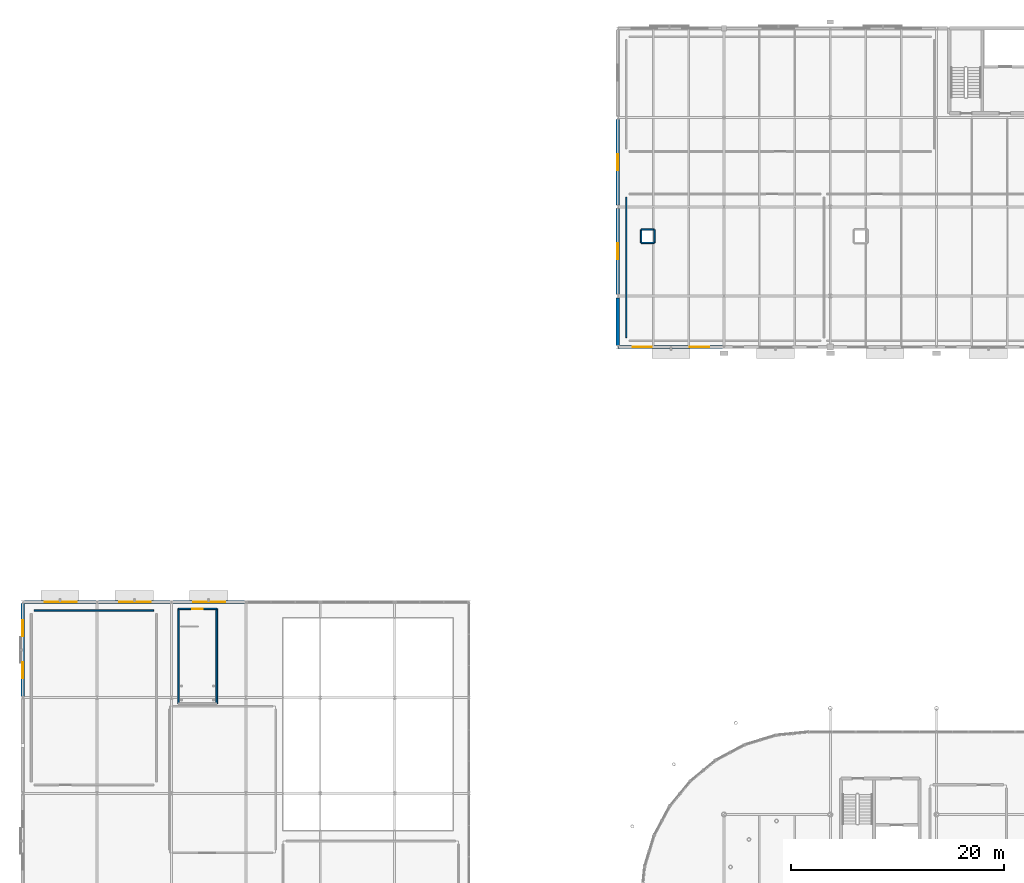
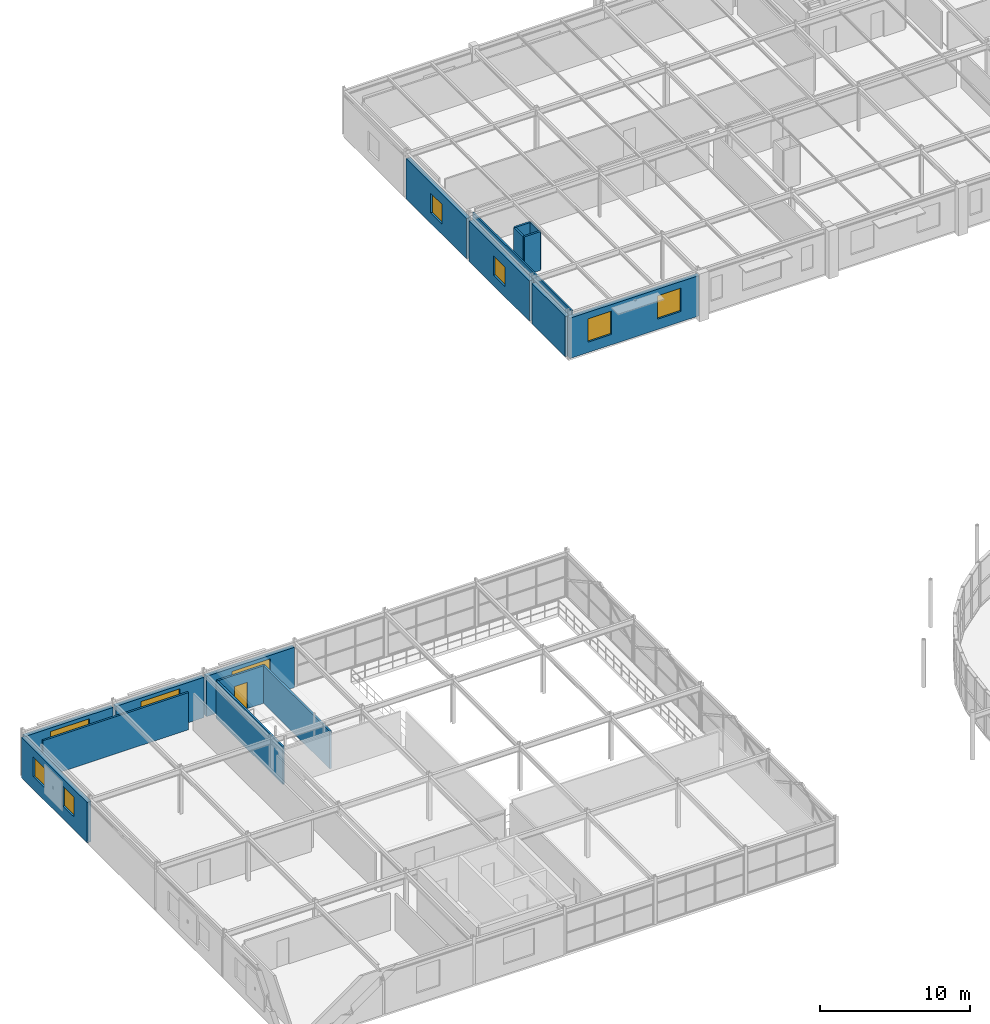
# One storey, part 78 of 98: 17 walls, 9 windows, 1 door, 10 openings.
"""IFC4 building model written with IfcOpenShell, lengths in metres."""

from ifc_helpers import new_model, si_unit, derived_unit, direction, frame, frame_2d, origin, place, context, subcontext, project, spatial, rectangle, extrude, material, layer, layer_set, type_object, element, fill, save


model = new_model("IFC4")

# Units and contexts
model_context = context("Model", 3, precision=1e-05, world=origin(), true_north=direction((0.0, 1.0)))
body_context = subcontext(model_context, "Body", "Model", "MODEL_VIEW")
ifc_project = project(units=[si_unit("LENGTHUNIT", "METRE"), si_unit("AREAUNIT", "SQUARE_METRE"), si_unit("VOLUMEUNIT", "CUBIC_METRE"), si_unit("PLANEANGLEUNIT", "RADIAN"), si_unit("MASSUNIT", "GRAM", prefix="KILO"), derived_unit("THERMALTRANSMITTANCEUNIT", [(si_unit("POWERUNIT", "WATT"), 1), (si_unit("LENGTHUNIT", "METRE"), -2), (si_unit("THERMODYNAMICTEMPERATUREUNIT", "KELVIN"), -1)])], contexts=[model_context])

# Site, building, storey
site_placement = place(None, origin())
site = spatial("IfcSite", under=ifc_project, at=site_placement, CompositionType="ELEMENT")
building_placement = place(site_placement, origin())
building = spatial("IfcBuilding", under=site, at=building_placement, Name="Cinnabar Yard Market Hall", CompositionType="ELEMENT")
storey_placement = place(building_placement, frame((0.0, 0.0, 4.5)))
storey = spatial("IfcBuildingStorey", under=building, at=storey_placement, Name="L01", CompositionType="ELEMENT", Elevation=4.5)

# Walls
ifc_material_1 = material(Name="Acoustic steel-stud plasterboard", Category="steel")
ifc_layer_1 = layer(ifc_material_1, 0.1201171875)
ifc_layer_set_1 = layer_set([ifc_layer_1], Name="Acoustic steel-stud plasterboard")
wall_type_1 = type_object("IfcWallType", Name="WL-PT120", PredefinedType="PARTITIONING", material=ifc_layer_set_1)
wall_1_placement = place(storey_placement, frame((66.800048828125, 122.1201171875, 0.0), z_axis=(0.0, 0.0, 1.0), x_axis=(0.0, -1.0, 0.0)))
element("IfcWall", 1, at=wall_1_placement, inside=storey, type_object=wall_type_1, Name="Partition Chocolate and Confectionery Studio 101 west", PredefinedType="PARTITIONING", context=body_context, shape_type="SweptSolid", body=[
    extrude(rectangle(XDim=13.240234375, YDim=0.1201171875, at=frame_2d((6.6201171875, 0.0), x_axis=(1.0, 0.0))), origin(), (0.0, 0.0, 1.0), 3.030029296875),
])
ifc_material_2 = material(Name="Fire-rated steel-stud plasterboard", Category="steel")
ifc_layer_2 = layer(ifc_material_2, 0.14990234375)
ifc_layer_set_2 = layer_set([ifc_layer_2], Name="Fire-rated steel-stud plasterboard")
wall_type_2 = type_object("IfcWallType", Name="WL-PT150", PredefinedType="PARTITIONING", material=ifc_layer_set_2)
for number, where, z_axis, x_axis, name in (
    (2, (24.639892578125, 83.360107421875, 0.0), (0.0, 0.0, 1.0), (0.0, -1.0, 0.0), "Stair ST-F3 Shaft Wall W L01"),
    (3, (28.260009765625, 74.43994140625, 0.0), (0.0, 0.0, 1.0), (0.0, 1.0, 0.0), "Stair ST-F3 Shaft Wall E L01"),
):
    element("IfcWall", number, at=place(storey_placement, frame(where, z_axis=z_axis, x_axis=x_axis)), inside=storey, type_object=wall_type_2, Name=name, PredefinedType="PARTITIONING", context=body_context, shape_type="SweptSolid", body=[
        extrude(rectangle(XDim=8.920166015625, YDim=0.14990234375, at=frame_2d((4.4599609375, 0.0), x_axis=(1.0, 0.0))), origin(), (0.0, 0.0, 1.0), 3.070068359375),
    ])

# Wall, opening, door
wall_2_placement = place(storey_placement, frame((28.260009765625, 83.360107421875, 0.0), z_axis=(0.0, 0.0, 1.0), x_axis=(-1.0, 0.0, 0.0)))
wall_2 = element("IfcWall", 4, at=wall_2_placement, inside=storey, type_object=wall_type_2, Name="Stair ST-F3 Shaft Wall N L01", PredefinedType="PARTITIONING", context=body_context, shape_type="SweptSolid", body=[
    extrude(rectangle(XDim=3.6201171875, YDim=0.14990234375, at=frame_2d((1.81005859375, 0.0), x_axis=(1.0, 0.0))), origin(), (0.0, 0.0, 1.0), 3.070068359375),
])
opening_1_placement = place(wall_2_placement, frame((1.31005859375, 0.0, 0.0)))
opening_1 = element("IfcOpeningElement", 5, at=opening_1_placement, cuts=wall_2, Name="Opening CD-072", PredefinedType="OPENING", context=body_context, shape_type="SweptSolid", body=[
    extrude(rectangle(XDim=1.0, YDim=2.14990234375, at=frame_2d((0.5, 1.074951171875), x_axis=(1.0, 0.0))), frame((0.0, 0.0849609375, 0.0), z_axis=(0.0, -1.0, 0.0), x_axis=(1.0, 0.0, 0.0)), (0.0, 0.0, 1.0), 0.169921875),
])
ifc_material_3 = material(Name="Solid-core spotted gum timber", Category="wood")
door_type = type_object("IfcDoorType", Name="DR-D05", OperationType="NOTDEFINED", PredefinedType="DOOR", material=ifc_material_3)
door_placement = place(opening_1_placement, origin())
door = element("IfcDoor", 6, at=door_placement, inside=storey, type_object=door_type, Name="Stair Door CD-072", OperationType="SINGLE_SWING_LEFT", OverallHeight=2.14990234375, OverallWidth=1.0, PredefinedType="DOOR", context=body_context, shape_type="SweptSolid", body=[
    extrude(rectangle(XDim=1.0, YDim=2.14990234375, at=frame_2d((0.5, 1.074951171875), x_axis=(1.0, 0.0))), frame((0.0, 0.02490234375, 0.0), z_axis=(0.0, -1.0, 0.0), x_axis=(1.0, 0.0, 0.0)), (0.0, 0.0, 1.0), 0.050048828125),
])
fill(opening_1, door)

# Walls
for number, where, z_axis, x_axis, name in (
    (7, (68.199951171875, 117.800048828125, 0.0), (0.0, 0.0, 1.0), (1.0, 0.0, 0.0), "Service Shaft Wall L01-1-1"),
    (8, (69.449951171875, 117.800048828125, 0.0), (0.0, 0.0, 1.0), (0.0, 1.0, 0.0), "Service Shaft Wall L01-1-2"),
    (9, (69.449951171875, 119.050048828125, 0.0), (0.0, 0.0, 1.0), (-1.0, 0.0, 0.0), "Service Shaft Wall L01-1-3"),
    (10, (68.199951171875, 119.050048828125, 0.0), (0.0, 0.0, 1.0), (0.0, -1.0, 0.0), "Service Shaft Wall L01-1-4"),
):
    element("IfcWall", number, at=place(storey_placement, frame(where, z_axis=z_axis, x_axis=x_axis)), inside=storey, type_object=wall_type_2, Name=name, PredefinedType="PARTITIONING", context=body_context, shape_type="SweptSolid", body=[
        extrude(rectangle(XDim=1.25, YDim=0.14990234375, at=frame_2d((0.625, 0.0), x_axis=(1.0, 0.0))), origin(), (0.0, 0.0, 1.0), 3.169921875),
    ])
wall_3_placement = place(storey_placement, frame((22.320068359375, 83.199951171875, 0.0), z_axis=(0.0, 0.0, 1.0), x_axis=(-1.0, 0.0, 0.0)))
element("IfcWall", 11, at=wall_3_placement, inside=storey, type_object=wall_type_2, Name="Partition Pavilion Kitchen Filtration Plant Room north", PredefinedType="PARTITIONING", context=body_context, shape_type="SweptSolid", body=[
    extrude(rectangle(XDim=11.239990234375, YDim=0.14990234375, at=frame_2d((5.6201171875, 0.0), x_axis=(1.0, 0.0))), origin(), (0.0, 0.0, 1.0), 3.030029296875),
])

# Wall, opening, window
ifc_material_4 = material(Name="Cream limestone and Concrete 32 MPa", Category="masonry")
ifc_layer_3 = layer(ifc_material_4, 0.320068359375)
ifc_layer_set_3 = layer_set([ifc_layer_3], Name="Cream limestone and Concrete 32 MPa")
wall_type_3 = type_object("IfcWallType", Name="WL-W-EXT2", PredefinedType="SOLIDWALL", material=ifc_layer_set_3)
wall_4_placement = place(storey_placement, frame((16.89990234375, 84.0, 0.0), z_axis=(0.0, 0.0, 1.0), x_axis=(-1.0, 0.0, 0.0)))
wall_4 = element("IfcWall", 12, at=wall_4_placement, inside=storey, type_object=wall_type_3, Name="Pavilion North Wall L01 Bay 1", PredefinedType="SOLIDWALL", context=body_context, shape_type="SweptSolid", body=[
    extrude(rectangle(XDim=6.7998046875, YDim=0.320068359375, at=frame_2d((3.39990234375, 0.0), x_axis=(1.0, 0.0))), origin(), (0.0, 0.0, 1.0), 3.2900390625),
])
opening_2_placement = place(wall_4_placement, frame((1.840087890625, 0.0, 0.85009765625)))
opening_2 = element("IfcOpeningElement", 13, at=opening_2_placement, cuts=wall_4, Name="Opening W04", PredefinedType="OPENING", context=body_context, shape_type="SweptSolid", body=[
    extrude(rectangle(XDim=3.0, YDim=2.14990234375, at=frame_2d((1.5, 1.074951171875), x_axis=(1.0, 0.0))), frame((0.0, 0.169921875, 0.0), z_axis=(0.0, -1.0, 0.0), x_axis=(1.0, 0.0, 0.0)), (0.0, 0.0, 1.0), 0.340087890625),
])
ifc_material_5 = material(Name="Solar-control double glazing in bronze aluminium", Category="aluminium")
window_type_1 = type_object("IfcWindowType", Name="WN-W04", PartitioningType="SINGLE_PANEL", PredefinedType="WINDOW", material=ifc_material_5)
window_1_placement = place(opening_2_placement, origin())
window_1 = element("IfcWindow", 14, at=window_1_placement, inside=storey, type_object=window_type_1, Name="Window WN-V2N-L01-1", OverallHeight=2.14990234375, OverallWidth=3.0, PartitioningType="SINGLE_PANEL", PredefinedType="WINDOW", context=body_context, shape_type="SweptSolid", body=[
    extrude(rectangle(XDim=3.0, YDim=2.14990234375, at=frame_2d((1.5, 1.074951171875), x_axis=(1.0, 0.0))), frame((0.0, 0.030029296875, 0.0), z_axis=(0.0, -1.0, 0.0), x_axis=(1.0, 0.0, 0.0)), (0.0, 0.0, 1.0), 0.06005859375),
])
fill(opening_2, window_1)

wall_5_placement = place(storey_placement, frame((23.89990234375, 84.0, 0.0), z_axis=(0.0, 0.0, 1.0), x_axis=(-1.0, 0.0, 0.0)))
wall_5 = element("IfcWall", 15, at=wall_5_placement, inside=storey, type_object=wall_type_3, Name="Pavilion North Wall L01 Bay 2", PredefinedType="SOLIDWALL", context=body_context, shape_type="SweptSolid", body=[
    extrude(rectangle(XDim=6.7998046875, YDim=0.320068359375, at=frame_2d((3.39990234375, 0.0), x_axis=(1.0, 0.0))), origin(), (0.0, 0.0, 1.0), 3.2900390625),
])
opening_3_placement = place(wall_5_placement, frame((1.840087890625, 0.0, 0.85009765625)))
opening_3 = element("IfcOpeningElement", 16, at=opening_3_placement, cuts=wall_5, Name="Opening W04", PredefinedType="OPENING", context=body_context, shape_type="SweptSolid", body=[
    extrude(rectangle(XDim=3.0, YDim=2.14990234375, at=frame_2d((1.5, 1.074951171875), x_axis=(1.0, 0.0))), frame((0.0, 0.169921875, 0.0), z_axis=(0.0, -1.0, 0.0), x_axis=(1.0, 0.0, 0.0)), (0.0, 0.0, 1.0), 0.340087890625),
])
window_2_placement = place(opening_3_placement, origin())
window_2 = element("IfcWindow", 17, at=window_2_placement, inside=storey, type_object=window_type_1, Name="Window WN-V2N-L01-2", OverallHeight=2.14990234375, OverallWidth=3.0, PartitioningType="SINGLE_PANEL", PredefinedType="WINDOW", context=body_context, shape_type="SweptSolid", body=[
    extrude(rectangle(XDim=3.0, YDim=2.14990234375, at=frame_2d((1.5, 1.074951171875), x_axis=(1.0, 0.0))), frame((0.0, 0.030029296875, 0.0), z_axis=(0.0, -1.0, 0.0), x_axis=(1.0, 0.0, 0.0)), (0.0, 0.0, 1.0), 0.06005859375),
])
fill(opening_3, window_2)

wall_6_placement = place(storey_placement, frame((30.89990234375, 84.0, 0.0), z_axis=(0.0, 0.0, 1.0), x_axis=(-1.0, 0.0, 0.0)))
wall_6 = element("IfcWall", 18, at=wall_6_placement, inside=storey, type_object=wall_type_3, Name="Pavilion North Wall L01 Bay 3", PredefinedType="SOLIDWALL", context=body_context, shape_type="SweptSolid", body=[
    extrude(rectangle(XDim=6.7998046875, YDim=0.320068359375, at=frame_2d((3.39990234375, 0.0), x_axis=(1.0, 0.0))), origin(), (0.0, 0.0, 1.0), 3.2900390625),
])
opening_4_placement = place(wall_6_placement, frame((1.840087890625, 0.0, 0.85009765625)))
opening_4 = element("IfcOpeningElement", 19, at=opening_4_placement, cuts=wall_6, Name="Opening W04", PredefinedType="OPENING", context=body_context, shape_type="SweptSolid", body=[
    extrude(rectangle(XDim=3.0, YDim=2.14990234375, at=frame_2d((1.5, 1.074951171875), x_axis=(1.0, 0.0))), frame((0.0, 0.169921875, 0.0), z_axis=(0.0, -1.0, 0.0), x_axis=(1.0, 0.0, 0.0)), (0.0, 0.0, 1.0), 0.340087890625),
])
window_3_placement = place(opening_4_placement, origin())
window_3 = element("IfcWindow", 20, at=window_3_placement, inside=storey, type_object=window_type_1, Name="Window WN-V2N-L01-3", OverallHeight=2.14990234375, OverallWidth=3.0, PartitioningType="SINGLE_PANEL", PredefinedType="WINDOW", context=body_context, shape_type="SweptSolid", body=[
    extrude(rectangle(XDim=3.0, YDim=2.14990234375, at=frame_2d((1.5, 1.074951171875), x_axis=(1.0, 0.0))), frame((0.0, 0.030029296875, 0.0), z_axis=(0.0, -1.0, 0.0), x_axis=(1.0, 0.0, 0.0)), (0.0, 0.0, 1.0), 0.06005859375),
])
fill(opening_4, window_3)

# Wall, openings, windows
wall_7_placement = place(storey_placement, frame((10.0, 83.89990234375, 0.0), z_axis=(0.0, 0.0, 1.0), x_axis=(0.0, -1.0, 0.0)))
wall_7 = element("IfcWall", 21, at=wall_7_placement, inside=storey, type_object=wall_type_3, Name="Pavilion West Wall L01 Bay 4", PredefinedType="SOLIDWALL", context=body_context, shape_type="SweptSolid", body=[
    extrude(rectangle(XDim=8.7998046875, YDim=0.320068359375, at=frame_2d((4.39990234375, 0.0), x_axis=(1.0, 0.0))), origin(), (0.0, 0.0, 1.0), 3.2900390625),
])
opening_5_placement = place(wall_7_placement, frame((1.60009765625, 0.0, 1.050048828125)))
opening_5 = element("IfcOpeningElement", 22, at=opening_5_placement, cuts=wall_7, Name="Opening W03", PredefinedType="OPENING", context=body_context, shape_type="SweptSolid", body=[
    extrude(rectangle(XDim=1.5, YDim=1.60009765625, at=frame_2d((0.75, 0.800048828125), x_axis=(1.0, 0.0))), frame((0.0, 0.169921875, 0.0), z_axis=(0.0, -1.0, 0.0), x_axis=(1.0, 0.0, 0.0)), (0.0, 0.0, 1.0), 0.340087890625),
])
opening_6_placement = place(wall_7_placement, frame((5.580078125, 0.0, 1.050048828125)))
opening_6 = element("IfcOpeningElement", 23, at=opening_6_placement, cuts=wall_7, Name="Opening W03", PredefinedType="OPENING", context=body_context, shape_type="SweptSolid", body=[
    extrude(rectangle(XDim=1.5, YDim=1.60009765625, at=frame_2d((0.75, 0.800048828125), x_axis=(1.0, 0.0))), frame((0.0, 0.169921875, 0.0), z_axis=(0.0, -1.0, 0.0), x_axis=(1.0, 0.0, 0.0)), (0.0, 0.0, 1.0), 0.340087890625),
])
ifc_material_6 = material(Name="Low-E double glazing in bronze aluminium", Category="aluminium")
window_type_2 = type_object("IfcWindowType", Name="WN-W03", PartitioningType="SINGLE_PANEL", PredefinedType="WINDOW", material=ifc_material_6)
window_4_placement = place(opening_5_placement, origin())
window_4 = element("IfcWindow", 24, at=window_4_placement, inside=storey, type_object=window_type_2, Name="Window WN-V2W-L01-4A", OverallHeight=1.60009765625, OverallWidth=1.5, PartitioningType="SINGLE_PANEL", PredefinedType="WINDOW", context=body_context, shape_type="SweptSolid", body=[
    extrude(rectangle(XDim=1.5, YDim=1.60009765625, at=frame_2d((0.75, 0.800048828125), x_axis=(1.0, 0.0))), frame((0.0, 0.030029296875, 0.0), z_axis=(0.0, -1.0, 0.0), x_axis=(1.0, 0.0, 0.0)), (0.0, 0.0, 1.0), 0.06005859375),
])
fill(opening_5, window_4)
window_5_placement = place(opening_6_placement, origin())
window_5 = element("IfcWindow", 25, at=window_5_placement, inside=storey, type_object=window_type_2, Name="Window WN-V2W-L01-4B", OverallHeight=1.60009765625, OverallWidth=1.5, PartitioningType="SINGLE_PANEL", PredefinedType="WINDOW", context=body_context, shape_type="SweptSolid", body=[
    extrude(rectangle(XDim=1.5, YDim=1.60009765625, at=frame_2d((0.75, 0.800048828125), x_axis=(1.0, 0.0))), frame((0.0, 0.030029296875, 0.0), z_axis=(0.0, -1.0, 0.0), x_axis=(1.0, 0.0, 0.0)), (0.0, 0.0, 1.0), 0.06005859375),
])
fill(opening_6, window_5)

wall_8_placement = place(storey_placement, frame((66.01171875, 108.0, 0.0), z_axis=(0.0, 0.0, 1.0), x_axis=(1.0, 0.0, 0.0)))
wall_8 = element("IfcWall", 26, at=wall_8_placement, inside=storey, type_object=wall_type_3, Name="Wing South Wall L01 Bay 1", PredefinedType="SOLIDWALL", context=body_context, shape_type="SweptSolid", body=[
    extrude(rectangle(XDim=9.978271484375, YDim=0.320068359375, at=frame_2d((4.9892578125, 0.0), x_axis=(1.0, 0.0))), origin(), (0.0, 0.0, 1.0), 3.2900390625),
])
opening_7_placement = place(wall_8_placement, frame((1.39990234375, 0.0, 0.85009765625)))
opening_7 = element("IfcOpeningElement", 27, at=opening_7_placement, cuts=wall_8, Name="Opening W07", PredefinedType="OPENING", context=body_context, shape_type="SweptSolid", body=[
    extrude(rectangle(XDim=1.800048828125, YDim=1.89990234375, at=frame_2d((0.89990234375, 0.949951171875), x_axis=(1.0, 0.0))), frame((0.0, 0.169921875, 0.0), z_axis=(0.0, -1.0, 0.0), x_axis=(1.0, 0.0, 0.0)), (0.0, 0.0, 1.0), 0.340087890625),
])
opening_8_placement = place(wall_8_placement, frame((6.7783203125, 0.0, 0.85009765625)))
opening_8 = element("IfcOpeningElement", 28, at=opening_8_placement, cuts=wall_8, Name="Opening W07", PredefinedType="OPENING", context=body_context, shape_type="SweptSolid", body=[
    extrude(rectangle(XDim=1.800048828125, YDim=1.89990234375, at=frame_2d((0.89990234375, 0.949951171875), x_axis=(1.0, 0.0))), frame((0.0, 0.169921875, 0.0), z_axis=(0.0, -1.0, 0.0), x_axis=(1.0, 0.0, 0.0)), (0.0, 0.0, 1.0), 0.340087890625),
])
window_type_3 = type_object("IfcWindowType", Name="WN-W07", PartitioningType="SINGLE_PANEL", PredefinedType="WINDOW", material=ifc_material_6)
window_6_placement = place(opening_7_placement, origin())
window_6 = element("IfcWindow", 29, at=window_6_placement, inside=storey, type_object=window_type_3, Name="Window WN-V3S-L01-1A", OverallHeight=1.89990234375, OverallWidth=1.800048828125, PartitioningType="SINGLE_PANEL", PredefinedType="WINDOW", context=body_context, shape_type="SweptSolid", body=[
    extrude(rectangle(XDim=1.800048828125, YDim=1.89990234375, at=frame_2d((0.89990234375, 0.949951171875), x_axis=(1.0, 0.0))), frame((0.0, 0.030029296875, 0.0), z_axis=(0.0, -1.0, 0.0), x_axis=(1.0, 0.0, 0.0)), (0.0, 0.0, 1.0), 0.06005859375),
])
fill(opening_7, window_6)
window_7_placement = place(opening_8_placement, origin())
window_7 = element("IfcWindow", 30, at=window_7_placement, inside=storey, type_object=window_type_3, Name="Window WN-V3S-L01-1B", OverallHeight=1.89990234375, OverallWidth=1.800048828125, PartitioningType="SINGLE_PANEL", PredefinedType="WINDOW", context=body_context, shape_type="SweptSolid", body=[
    extrude(rectangle(XDim=1.800048828125, YDim=1.89990234375, at=frame_2d((0.89990234375, 0.949951171875), x_axis=(1.0, 0.0))), frame((0.0, 0.030029296875, 0.0), z_axis=(0.0, -1.0, 0.0), x_axis=(1.0, 0.0, 0.0)), (0.0, 0.0, 1.0), 0.06005859375),
])
fill(opening_8, window_7)

# Wall
wall_9_placement = place(storey_placement, frame((66.0, 112.6357421875, 0.0), z_axis=(0.0, 0.0, 1.0), x_axis=(0.0, -1.0, 0.0)))
element("IfcWall", 31, at=wall_9_placement, inside=storey, type_object=wall_type_3, Name="Wing West End Wall L01 Seg 1", PredefinedType="SOLIDWALL", context=body_context, shape_type="SweptSolid", body=[
    extrude(rectangle(XDim=4.46826171875, YDim=0.320068359375, at=frame_2d((2.234130859375, 0.0), x_axis=(1.0, 0.0))), origin(), (0.0, 0.0, 1.0), 3.2900390625),
])

# Wall, opening, window
wall_10_placement = place(storey_placement, frame((66.0, 121.038818359375, 0.0), z_axis=(0.0, 0.0, 1.0), x_axis=(0.0, -1.0, 0.0)))
wall_10 = element("IfcWall", 32, at=wall_10_placement, inside=storey, type_object=wall_type_3, Name="Wing West End Wall L01 Seg 2", PredefinedType="SOLIDWALL", context=body_context, shape_type="SweptSolid", body=[
    extrude(rectangle(XDim=8.074462890625, YDim=0.320068359375, at=frame_2d((4.037109375, 0.0), x_axis=(1.0, 0.0))), origin(), (0.0, 0.0, 1.0), 3.2900390625),
])
opening_9_placement = place(wall_10_placement, frame((3.287109375, 0.0, 0.85009765625)))
opening_9 = element("IfcOpeningElement", 33, at=opening_9_placement, cuts=wall_10, Name="Opening W03", PredefinedType="OPENING", context=body_context, shape_type="SweptSolid", body=[
    extrude(rectangle(XDim=1.5, YDim=1.60009765625, at=frame_2d((0.75, 0.800048828125), x_axis=(1.0, 0.0))), frame((0.0, 0.169921875, 0.0), z_axis=(0.0, -1.0, 0.0), x_axis=(1.0, 0.0, 0.0)), (0.0, 0.0, 1.0), 0.340087890625),
])
window_8_placement = place(opening_9_placement, origin())
window_8 = element("IfcWindow", 34, at=window_8_placement, inside=storey, type_object=window_type_2, Name="Window WN-V3W-L01-2", OverallHeight=1.60009765625, OverallWidth=1.5, PartitioningType="SINGLE_PANEL", PredefinedType="WINDOW", context=body_context, shape_type="SweptSolid", body=[
    extrude(rectangle(XDim=1.5, YDim=1.60009765625, at=frame_2d((0.75, 0.800048828125), x_axis=(1.0, 0.0))), frame((0.0, 0.030029296875, 0.0), z_axis=(0.0, -1.0, 0.0), x_axis=(1.0, 0.0, 0.0)), (0.0, 0.0, 1.0), 0.06005859375),
])
fill(opening_9, window_8)

wall_11_placement = place(storey_placement, frame((66.0, 129.44189453125, 0.0), z_axis=(0.0, 0.0, 1.0), x_axis=(0.0, -1.0, 0.0)))
wall_11 = element("IfcWall", 35, at=wall_11_placement, inside=storey, type_object=wall_type_3, Name="Wing West End Wall L01 Seg 3", PredefinedType="SOLIDWALL", context=body_context, shape_type="SweptSolid", body=[
    extrude(rectangle(XDim=8.08056640625, YDim=0.320068359375, at=frame_2d((4.040283203125, 0.0), x_axis=(1.0, 0.0))), origin(), (0.0, 0.0, 1.0), 3.2900390625),
])
opening_10_placement = place(wall_11_placement, frame((3.290283203125, 0.0, 0.85009765625)))
opening_10 = element("IfcOpeningElement", 36, at=opening_10_placement, cuts=wall_11, Name="Opening W03", PredefinedType="OPENING", context=body_context, shape_type="SweptSolid", body=[
    extrude(rectangle(XDim=1.5, YDim=1.60009765625, at=frame_2d((0.75, 0.800048828125), x_axis=(1.0, 0.0))), frame((0.0, 0.169921875, 0.0), z_axis=(0.0, -1.0, 0.0), x_axis=(1.0, 0.0, 0.0)), (0.0, 0.0, 1.0), 0.340087890625),
])
window_9_placement = place(opening_10_placement, origin())
window_9 = element("IfcWindow", 37, at=window_9_placement, inside=storey, type_object=window_type_2, Name="Window WN-V3W-L01-3", OverallHeight=1.60009765625, OverallWidth=1.5, PartitioningType="SINGLE_PANEL", PredefinedType="WINDOW", context=body_context, shape_type="SweptSolid", body=[
    extrude(rectangle(XDim=1.5, YDim=1.60009765625, at=frame_2d((0.75, 0.800048828125), x_axis=(1.0, 0.0))), frame((0.0, 0.030029296875, 0.0), z_axis=(0.0, -1.0, 0.0), x_axis=(1.0, 0.0, 0.0)), (0.0, 0.0, 1.0), 0.06005859375),
])
fill(opening_10, window_9)

save(model, "model.ifc")
